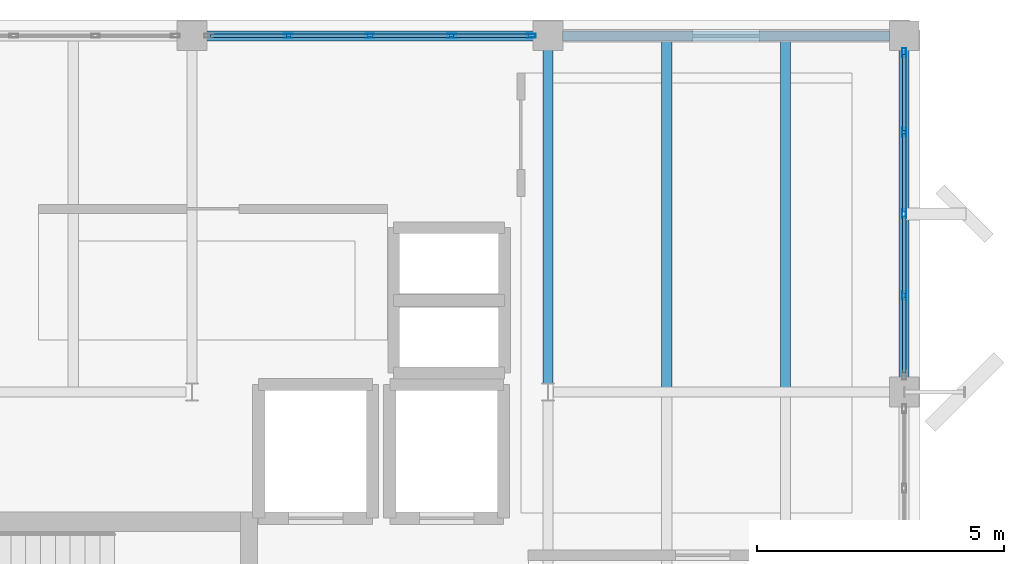
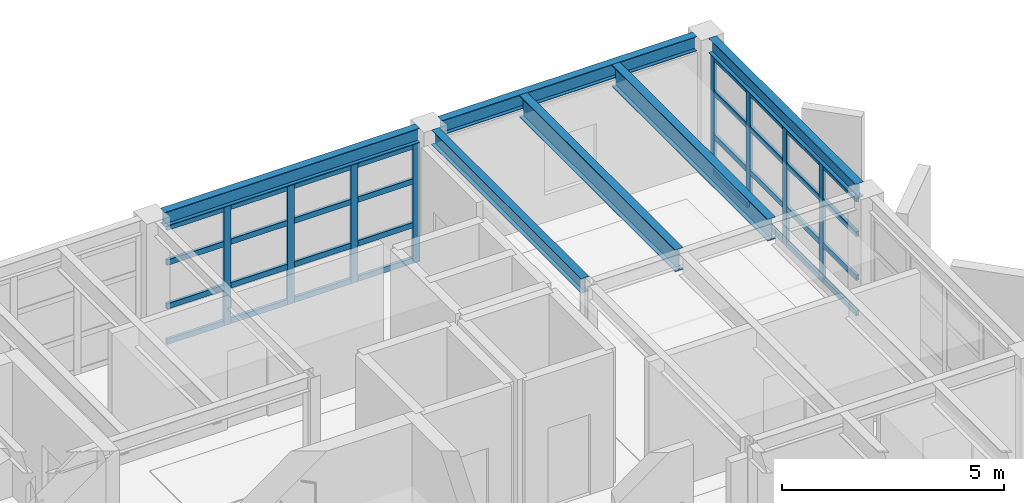
# One storey, part 8 of 15: 40 members, 6 beams, 2 elements without a shape of their own.
"""IFC4 building model written with IfcOpenShell, lengths in metres."""

from ifc_helpers import new_model, si_unit, direction, frame, origin, origin_2d, place, context, subcontext, project, spatial, hollow_rectangle, i_section, extrude, material, layer, layer_set, material_profile, profile_set, type_object, element, aggregate, save


model = new_model("IFC4")

# Units and contexts
model_context = context("Model", 3, precision=1e-05, world=origin(), true_north=direction((0.0, 1.0)))
body_context = subcontext(model_context, "Body", "Model", "MODEL_VIEW")
ifc_project = project(units=[si_unit("LENGTHUNIT", "METRE"), si_unit("AREAUNIT", "SQUARE_METRE"), si_unit("VOLUMEUNIT", "CUBIC_METRE"), si_unit("PLANEANGLEUNIT", "RADIAN"), si_unit("MASSUNIT", "GRAM", prefix="KILO")], contexts=[model_context])

# Site, building, storey
site_placement = place(None, origin())
site = spatial("IfcSite", under=ifc_project, at=site_placement, CompositionType="ELEMENT")
building_placement = place(site_placement, origin())
building = spatial("IfcBuilding", under=site, at=building_placement, Name="Kandorven Conservatory and Botanical Research Centre", CompositionType="ELEMENT")
storey_placement = place(building_placement, frame((0.0, 0.0, 52.199951171875)))
storey = spatial("IfcBuildingStorey", under=building, at=storey_placement, Name="L13", CompositionType="ELEMENT", Elevation=52.199951171875)

# Beams
ifc_material_1 = material(Name="Steel S355 (IS 2062 E350)", Category="steel")
ifc_material_profile_1 = material_profile(ifc_material_1, i_section(OverallWidth=0.199951171875, OverallDepth=0.39990234375, WebThickness=0.008544921875, FlangeThickness=0.012939453125, at=origin_2d()))
ifc_profile_set_1 = profile_set([ifc_material_profile_1], Name="Steel S355 (IS 2062 E350)")
beam_type_1 = type_object("IfcBeamType", Name="Beam_FG-03", PredefinedType="USERDEFINED", material=ifc_profile_set_1)
for number, where, z_axis, x_axis, name in (
    (1, (20.68994140625, 27.60009765625, 3.505126953125), (1.0, 0.0, 0.0), (0.0, 1.0, 0.0), "Primary girder FG-03 TWR L13"),
    (2, (27.889892578125, 27.60009765625, 3.505126953125), (1.0, 0.0, 0.0), (0.0, 1.0, 0.0), "Primary girder FG-03 TWR L13"),
):
    element("IfcBeam", number, at=place(storey_placement, frame(where, z_axis=z_axis, x_axis=x_axis)), inside=storey, type_object=beam_type_1, Name=name, ObjectType="GIRDER", PredefinedType="USERDEFINED", context=body_context, shape_type="SweptSolid", body=[
        extrude(i_section(OverallWidth=0.199951171875, OverallDepth=0.39990234375, WebThickness=0.008544921875, FlangeThickness=0.012939453125, at=origin_2d()), origin(), (0.0, 0.0, 1.0), 6.6201171875),
    ])
beam_1_placement = place(storey_placement, frame((27.60009765625, 20.56494140625, 3.505126953125), z_axis=(0.0, 1.0, 0.0), x_axis=(-1.0, 0.0, 0.0)))
element("IfcBeam", 3, at=beam_1_placement, inside=storey, type_object=beam_type_1, Name="Primary girder FG-03 TWR L13", ObjectType="GIRDER", PredefinedType="USERDEFINED", context=body_context, shape_type="SweptSolid", body=[
    extrude(i_section(OverallWidth=0.199951171875, OverallDepth=0.39990234375, WebThickness=0.008544921875, FlangeThickness=0.012939453125, at=origin_2d()), origin(), (0.0, 0.0, 1.0), 6.7451171875),
])
beam_2_placement = place(storey_placement, frame((34.800048828125, 20.68994140625, 3.505126953125), z_axis=(0.0, 1.0, 0.0), x_axis=(-1.0, 0.0, 0.0)))
element("IfcBeam", 4, at=beam_2_placement, inside=storey, type_object=beam_type_1, Name="Primary girder FG-03 TWR L13", ObjectType="GIRDER", PredefinedType="USERDEFINED", context=body_context, shape_type="SweptSolid", body=[
    extrude(i_section(OverallWidth=0.199951171875, OverallDepth=0.39990234375, WebThickness=0.008544921875, FlangeThickness=0.012939453125, at=origin_2d()), origin(), (0.0, 0.0, 1.0), 6.6201171875),
])
ifc_material_2 = material(Name="Steel S355 (IS 2062 E350)", Category="steel")
ifc_material_profile_2 = material_profile(ifc_material_2, i_section(OverallWidth=0.2099609375, OverallDepth=0.60009765625, WebThickness=0.011962890625, FlangeThickness=0.020751953125, at=origin_2d()))
ifc_profile_set_2 = profile_set([ifc_material_profile_2], Name="Steel S355 (IS 2062 E350)")
beam_type_2 = type_object("IfcBeamType", Name="Beam_SB-01", PredefinedType="BEAM", material=ifc_profile_set_2)
for number, where, z_axis, x_axis, name in (
    (5, (30.0, 20.485107421875, 3.405029296875), (0.0, 1.0, 0.0), (-1.0, 0.0, 0.0), "Composite secondary beam SB-01 TWR L13"),
    (6, (32.39990234375, 20.485107421875, 3.405029296875), (0.0, 1.0, 0.0), (-1.0, 0.0, 0.0), "Composite secondary beam SB-01 TWR L13"),
):
    element("IfcBeam", number, at=place(storey_placement, frame(where, z_axis=z_axis, x_axis=x_axis)), inside=storey, type_object=beam_type_2, Name=name, PredefinedType="BEAM", context=body_context, shape_type="SweptSolid", body=[
        extrude(i_section(OverallWidth=0.2099609375, OverallDepth=0.60009765625, WebThickness=0.011962890625, FlangeThickness=0.020751953125, at=origin_2d()), origin(), (0.0, 0.0, 1.0), 7.02978515625),
    ])

# Curtain wall, members
ifc_material_3 = material(Name="Bronze anodised thermally broken aluminium", Category="aluminium")
ifc_layer = layer(ifc_material_3, 0.179931640625)
ifc_layer_set = layer_set([ifc_layer], Name="Bronze anodised thermally broken aluminium")
curtain_wall_type = type_object("IfcCurtainWallType", Name="CW_Unitised", PredefinedType="USERDEFINED", material=ifc_layer_set)
curtain_wall_1_placement = place(storey_placement, origin())
curtain_wall_1 = element("IfcCurtainWall", 7, at=curtain_wall_1_placement, inside=storey, type_object=curtain_wall_type, Name="Tower laboratory curtain wall CW-TWR-N-L13-3", ObjectType="UNITISED GLAZING", PredefinedType="USERDEFINED")
ifc_material_4 = material(Name="Bronze anodised thermally broken aluminium", Category="aluminium")
ifc_material_profile_3 = material_profile(ifc_material_4, hollow_rectangle(XDim=0.080078125, YDim=0.179931640625, WallThickness=0.006103515625, at=origin_2d()))
ifc_profile_set_3 = profile_set([ifc_material_profile_3], Name="Bronze anodised thermally broken aluminium")
member_type_1 = type_object("IfcMemberType", Name="CW_Mullion", PredefinedType="MULLION", material=ifc_profile_set_3)
member_1_placement = place(storey_placement, frame((22.35009765625, 27.60009765625, 0.0), z_axis=(0.0, 0.0, 1.0), x_axis=(0.0, 1.0, 0.0)))
member_1 = element("IfcMember", 8, at=member_1_placement, type_object=member_type_1, Name="CW-01 mullion 2", PredefinedType="MULLION", context=body_context, shape_type="SweptSolid", body=[
    extrude(hollow_rectangle(XDim=0.080078125, YDim=0.179931640625, WallThickness=0.006103515625, at=origin_2d()), origin(), (0.0, 0.0, 1.0), 3.28515625),
])
member_2_placement = place(storey_placement, frame((24.0, 27.60009765625, 0.0), z_axis=(0.0, 0.0, 1.0), x_axis=(0.0, 1.0, 0.0)))
member_2 = element("IfcMember", 9, at=member_2_placement, type_object=member_type_1, Name="CW-01 mullion 3", PredefinedType="MULLION", context=body_context, shape_type="SweptSolid", body=[
    extrude(hollow_rectangle(XDim=0.080078125, YDim=0.179931640625, WallThickness=0.006103515625, at=origin_2d()), origin(), (0.0, 0.0, 1.0), 3.28515625),
])
member_3_placement = place(storey_placement, frame((25.64990234375, 27.60009765625, 0.0), z_axis=(0.0, 0.0, 1.0), x_axis=(0.0, 1.0, 0.0)))
member_3 = element("IfcMember", 10, at=member_3_placement, type_object=member_type_1, Name="CW-01 mullion 4", PredefinedType="MULLION", context=body_context, shape_type="SweptSolid", body=[
    extrude(hollow_rectangle(XDim=0.080078125, YDim=0.179931640625, WallThickness=0.006103515625, at=origin_2d()), origin(), (0.0, 0.0, 1.0), 3.28515625),
])
member_4_placement = place(storey_placement, frame((27.260009765625, 27.60009765625, 0.0), z_axis=(0.0, 0.0, 1.0), x_axis=(0.0, 1.0, 0.0)))
member_4 = element("IfcMember", 11, at=member_4_placement, type_object=member_type_1, Name="CW-01 mullion 5", PredefinedType="MULLION", context=body_context, shape_type="SweptSolid", body=[
    extrude(hollow_rectangle(XDim=0.080078125, YDim=0.179931640625, WallThickness=0.006103515625, at=origin_2d()), origin(), (0.0, 0.0, 1.0), 3.28515625),
])

curtain_wall_2_placement = place(storey_placement, origin())
curtain_wall_2 = element("IfcCurtainWall", 12, at=curtain_wall_2_placement, inside=storey, type_object=curtain_wall_type, Name="Tower laboratory curtain wall CW-TWR-E-L13-3", ObjectType="UNITISED GLAZING", PredefinedType="USERDEFINED")
member_5_placement = place(storey_placement, frame((34.800048828125, 22.35009765625, 0.0), z_axis=(0.0, 0.0, 1.0), x_axis=(-1.0, 0.0, 0.0)))
member_5 = element("IfcMember", 13, at=member_5_placement, type_object=member_type_1, Name="CW-01 mullion 2", PredefinedType="MULLION", context=body_context, shape_type="SweptSolid", body=[
    extrude(hollow_rectangle(XDim=0.080078125, YDim=0.179931640625, WallThickness=0.006103515625, at=origin_2d()), origin(), (0.0, 0.0, 1.0), 3.28515625),
])
member_6_placement = place(storey_placement, frame((34.800048828125, 24.0, 0.0), z_axis=(0.0, 0.0, 1.0), x_axis=(-1.0, 0.0, 0.0)))
member_6 = element("IfcMember", 14, at=member_6_placement, type_object=member_type_1, Name="CW-01 mullion 3", PredefinedType="MULLION", context=body_context, shape_type="SweptSolid", body=[
    extrude(hollow_rectangle(XDim=0.080078125, YDim=0.179931640625, WallThickness=0.006103515625, at=origin_2d()), origin(), (0.0, 0.0, 1.0), 3.28515625),
])
member_7_placement = place(storey_placement, frame((34.800048828125, 25.64990234375, 0.0), z_axis=(0.0, 0.0, 1.0), x_axis=(-1.0, 0.0, 0.0)))
member_7 = element("IfcMember", 15, at=member_7_placement, type_object=member_type_1, Name="CW-01 mullion 4", PredefinedType="MULLION", context=body_context, shape_type="SweptSolid", body=[
    extrude(hollow_rectangle(XDim=0.080078125, YDim=0.179931640625, WallThickness=0.006103515625, at=origin_2d()), origin(), (0.0, 0.0, 1.0), 3.28515625),
])
member_8_placement = place(storey_placement, frame((34.800048828125, 27.260009765625, 0.0), z_axis=(0.0, 0.0, 1.0), x_axis=(-1.0, 0.0, 0.0)))
member_8 = element("IfcMember", 16, at=member_8_placement, type_object=member_type_1, Name="CW-01 mullion 5", PredefinedType="MULLION", context=body_context, shape_type="SweptSolid", body=[
    extrude(hollow_rectangle(XDim=0.080078125, YDim=0.179931640625, WallThickness=0.006103515625, at=origin_2d()), origin(), (0.0, 0.0, 1.0), 3.28515625),
])

# Member
ifc_material_5 = material(Name="Bronze anodised thermally broken aluminium", Category="aluminium")
ifc_material_profile_4 = material_profile(ifc_material_5, hollow_rectangle(XDim=0.074951171875, YDim=0.14990234375, WallThickness=0.006103515625, at=origin_2d()))
ifc_profile_set_4 = profile_set([ifc_material_profile_4], Name="Bronze anodised thermally broken aluminium")
member_type_2 = type_object("IfcMemberType", Name="CW_Transom", PredefinedType="USERDEFINED", material=ifc_profile_set_4)
member_9_placement = place(storey_placement, frame((20.780029296875, 27.60009765625, 0.074951171875), z_axis=(1.0, 0.0, 0.0), x_axis=(0.0, 1.0, 0.0)))
member_9 = element("IfcMember", 17, at=member_9_placement, type_object=member_type_2, Name="CW-01 transom 1.1", ObjectType="TRANSOM", PredefinedType="USERDEFINED", context=body_context, shape_type="SweptSolid", body=[
    extrude(hollow_rectangle(XDim=0.074951171875, YDim=0.14990234375, WallThickness=0.006103515625, at=origin_2d()), origin(), (0.0, 0.0, 1.0), 1.530029296875),
])

member_10_placement = place(storey_placement, frame((20.780029296875, 27.60009765625, 1.050048828125), z_axis=(1.0, 0.0, 0.0), x_axis=(0.0, 1.0, 0.0)))
member_10 = element("IfcMember", 18, at=member_10_placement, type_object=member_type_2, Name="CW-01 transom 1.2", ObjectType="TRANSOM", PredefinedType="USERDEFINED", context=body_context, shape_type="SweptSolid", body=[
    extrude(hollow_rectangle(XDim=0.074951171875, YDim=0.14990234375, WallThickness=0.006103515625, at=origin_2d()), origin(), (0.0, 0.0, 1.0), 1.530029296875),
])

member_11_placement = place(storey_placement, frame((20.780029296875, 27.60009765625, 2.25), z_axis=(1.0, 0.0, 0.0), x_axis=(0.0, 1.0, 0.0)))
member_11 = element("IfcMember", 19, at=member_11_placement, type_object=member_type_2, Name="CW-01 transom 1.3", ObjectType="TRANSOM", PredefinedType="USERDEFINED", context=body_context, shape_type="SweptSolid", body=[
    extrude(hollow_rectangle(XDim=0.074951171875, YDim=0.14990234375, WallThickness=0.006103515625, at=origin_2d()), origin(), (0.0, 0.0, 1.0), 1.530029296875),
])

member_12_placement = place(storey_placement, frame((20.780029296875, 27.60009765625, 3.2099609375), z_axis=(1.0, 0.0, 0.0), x_axis=(0.0, 1.0, 0.0)))
member_12 = element("IfcMember", 20, at=member_12_placement, type_object=member_type_2, Name="CW-01 transom 1.4", ObjectType="TRANSOM", PredefinedType="USERDEFINED", context=body_context, shape_type="SweptSolid", body=[
    extrude(hollow_rectangle(XDim=0.074951171875, YDim=0.14990234375, WallThickness=0.006103515625, at=origin_2d()), origin(), (0.0, 0.0, 1.0), 1.530029296875),
])

member_13_placement = place(storey_placement, frame((22.389892578125, 27.60009765625, 0.074951171875), z_axis=(1.0, 0.0, 0.0), x_axis=(0.0, 1.0, 0.0)))
member_13 = element("IfcMember", 21, at=member_13_placement, type_object=member_type_2, Name="CW-01 transom 2.1", ObjectType="TRANSOM", PredefinedType="USERDEFINED", context=body_context, shape_type="SweptSolid", body=[
    extrude(hollow_rectangle(XDim=0.074951171875, YDim=0.14990234375, WallThickness=0.006103515625, at=origin_2d()), origin(), (0.0, 0.0, 1.0), 1.570068359375),
])

member_14_placement = place(storey_placement, frame((22.389892578125, 27.60009765625, 1.050048828125), z_axis=(1.0, 0.0, 0.0), x_axis=(0.0, 1.0, 0.0)))
member_14 = element("IfcMember", 22, at=member_14_placement, type_object=member_type_2, Name="CW-01 transom 2.2", ObjectType="TRANSOM", PredefinedType="USERDEFINED", context=body_context, shape_type="SweptSolid", body=[
    extrude(hollow_rectangle(XDim=0.074951171875, YDim=0.14990234375, WallThickness=0.006103515625, at=origin_2d()), origin(), (0.0, 0.0, 1.0), 1.570068359375),
])

member_15_placement = place(storey_placement, frame((22.389892578125, 27.60009765625, 2.25), z_axis=(1.0, 0.0, 0.0), x_axis=(0.0, 1.0, 0.0)))
member_15 = element("IfcMember", 23, at=member_15_placement, type_object=member_type_2, Name="CW-01 transom 2.3", ObjectType="TRANSOM", PredefinedType="USERDEFINED", context=body_context, shape_type="SweptSolid", body=[
    extrude(hollow_rectangle(XDim=0.074951171875, YDim=0.14990234375, WallThickness=0.006103515625, at=origin_2d()), origin(), (0.0, 0.0, 1.0), 1.570068359375),
])

member_16_placement = place(storey_placement, frame((22.389892578125, 27.60009765625, 3.2099609375), z_axis=(1.0, 0.0, 0.0), x_axis=(0.0, 1.0, 0.0)))
member_16 = element("IfcMember", 24, at=member_16_placement, type_object=member_type_2, Name="CW-01 transom 2.4", ObjectType="TRANSOM", PredefinedType="USERDEFINED", context=body_context, shape_type="SweptSolid", body=[
    extrude(hollow_rectangle(XDim=0.074951171875, YDim=0.14990234375, WallThickness=0.006103515625, at=origin_2d()), origin(), (0.0, 0.0, 1.0), 1.570068359375),
])

member_17_placement = place(storey_placement, frame((24.0400390625, 27.60009765625, 0.074951171875), z_axis=(1.0, 0.0, 0.0), x_axis=(0.0, 1.0, 0.0)))
member_17 = element("IfcMember", 25, at=member_17_placement, type_object=member_type_2, Name="CW-01 transom 3.1", ObjectType="TRANSOM", PredefinedType="USERDEFINED", context=body_context, shape_type="SweptSolid", body=[
    extrude(hollow_rectangle(XDim=0.074951171875, YDim=0.14990234375, WallThickness=0.006103515625, at=origin_2d()), origin(), (0.0, 0.0, 1.0), 1.570068359375),
])

member_18_placement = place(storey_placement, frame((24.0400390625, 27.60009765625, 1.050048828125), z_axis=(1.0, 0.0, 0.0), x_axis=(0.0, 1.0, 0.0)))
member_18 = element("IfcMember", 26, at=member_18_placement, type_object=member_type_2, Name="CW-01 transom 3.2", ObjectType="TRANSOM", PredefinedType="USERDEFINED", context=body_context, shape_type="SweptSolid", body=[
    extrude(hollow_rectangle(XDim=0.074951171875, YDim=0.14990234375, WallThickness=0.006103515625, at=origin_2d()), origin(), (0.0, 0.0, 1.0), 1.570068359375),
])

member_19_placement = place(storey_placement, frame((24.0400390625, 27.60009765625, 2.25), z_axis=(1.0, 0.0, 0.0), x_axis=(0.0, 1.0, 0.0)))
member_19 = element("IfcMember", 27, at=member_19_placement, type_object=member_type_2, Name="CW-01 transom 3.3", ObjectType="TRANSOM", PredefinedType="USERDEFINED", context=body_context, shape_type="SweptSolid", body=[
    extrude(hollow_rectangle(XDim=0.074951171875, YDim=0.14990234375, WallThickness=0.006103515625, at=origin_2d()), origin(), (0.0, 0.0, 1.0), 1.570068359375),
])

member_20_placement = place(storey_placement, frame((24.0400390625, 27.60009765625, 3.2099609375), z_axis=(1.0, 0.0, 0.0), x_axis=(0.0, 1.0, 0.0)))
member_20 = element("IfcMember", 28, at=member_20_placement, type_object=member_type_2, Name="CW-01 transom 3.4", ObjectType="TRANSOM", PredefinedType="USERDEFINED", context=body_context, shape_type="SweptSolid", body=[
    extrude(hollow_rectangle(XDim=0.074951171875, YDim=0.14990234375, WallThickness=0.006103515625, at=origin_2d()), origin(), (0.0, 0.0, 1.0), 1.570068359375),
])

member_21_placement = place(storey_placement, frame((25.68994140625, 27.60009765625, 0.074951171875), z_axis=(1.0, 0.0, 0.0), x_axis=(0.0, 1.0, 0.0)))
member_21 = element("IfcMember", 29, at=member_21_placement, type_object=member_type_2, Name="CW-01 transom 4.1", ObjectType="TRANSOM", PredefinedType="USERDEFINED", context=body_context, shape_type="SweptSolid", body=[
    extrude(hollow_rectangle(XDim=0.074951171875, YDim=0.14990234375, WallThickness=0.006103515625, at=origin_2d()), origin(), (0.0, 0.0, 1.0), 1.530029296875),
])

member_22_placement = place(storey_placement, frame((25.68994140625, 27.60009765625, 1.050048828125), z_axis=(1.0, 0.0, 0.0), x_axis=(0.0, 1.0, 0.0)))
member_22 = element("IfcMember", 30, at=member_22_placement, type_object=member_type_2, Name="CW-01 transom 4.2", ObjectType="TRANSOM", PredefinedType="USERDEFINED", context=body_context, shape_type="SweptSolid", body=[
    extrude(hollow_rectangle(XDim=0.074951171875, YDim=0.14990234375, WallThickness=0.006103515625, at=origin_2d()), origin(), (0.0, 0.0, 1.0), 1.530029296875),
])

member_23_placement = place(storey_placement, frame((25.68994140625, 27.60009765625, 2.25), z_axis=(1.0, 0.0, 0.0), x_axis=(0.0, 1.0, 0.0)))
member_23 = element("IfcMember", 31, at=member_23_placement, type_object=member_type_2, Name="CW-01 transom 4.3", ObjectType="TRANSOM", PredefinedType="USERDEFINED", context=body_context, shape_type="SweptSolid", body=[
    extrude(hollow_rectangle(XDim=0.074951171875, YDim=0.14990234375, WallThickness=0.006103515625, at=origin_2d()), origin(), (0.0, 0.0, 1.0), 1.530029296875),
])

member_24_placement = place(storey_placement, frame((25.68994140625, 27.60009765625, 3.2099609375), z_axis=(1.0, 0.0, 0.0), x_axis=(0.0, 1.0, 0.0)))
member_24 = element("IfcMember", 32, at=member_24_placement, type_object=member_type_2, Name="CW-01 transom 4.4", ObjectType="TRANSOM", PredefinedType="USERDEFINED", context=body_context, shape_type="SweptSolid", body=[
    extrude(hollow_rectangle(XDim=0.074951171875, YDim=0.14990234375, WallThickness=0.006103515625, at=origin_2d()), origin(), (0.0, 0.0, 1.0), 1.530029296875),
])

aggregate(curtain_wall_1, [member_1, member_2, member_3, member_4, member_9, member_10, member_11, member_12, member_13, member_14, member_15, member_16, member_17, member_18, member_19, member_20, member_21, member_22, member_23, member_24])

member_25_placement = place(storey_placement, frame((34.800048828125, 20.780029296875, 0.074951171875), z_axis=(0.0, 1.0, 0.0), x_axis=(-1.0, 0.0, 0.0)))
member_25 = element("IfcMember", 33, at=member_25_placement, type_object=member_type_2, Name="CW-01 transom 1.1", ObjectType="TRANSOM", PredefinedType="USERDEFINED", context=body_context, shape_type="SweptSolid", body=[
    extrude(hollow_rectangle(XDim=0.074951171875, YDim=0.14990234375, WallThickness=0.006103515625, at=origin_2d()), origin(), (0.0, 0.0, 1.0), 1.530029296875),
])

member_26_placement = place(storey_placement, frame((34.800048828125, 20.780029296875, 1.050048828125), z_axis=(0.0, 1.0, 0.0), x_axis=(-1.0, 0.0, 0.0)))
member_26 = element("IfcMember", 34, at=member_26_placement, type_object=member_type_2, Name="CW-01 transom 1.2", ObjectType="TRANSOM", PredefinedType="USERDEFINED", context=body_context, shape_type="SweptSolid", body=[
    extrude(hollow_rectangle(XDim=0.074951171875, YDim=0.14990234375, WallThickness=0.006103515625, at=origin_2d()), origin(), (0.0, 0.0, 1.0), 1.530029296875),
])

member_27_placement = place(storey_placement, frame((34.800048828125, 20.780029296875, 2.25), z_axis=(0.0, 1.0, 0.0), x_axis=(-1.0, 0.0, 0.0)))
member_27 = element("IfcMember", 35, at=member_27_placement, type_object=member_type_2, Name="CW-01 transom 1.3", ObjectType="TRANSOM", PredefinedType="USERDEFINED", context=body_context, shape_type="SweptSolid", body=[
    extrude(hollow_rectangle(XDim=0.074951171875, YDim=0.14990234375, WallThickness=0.006103515625, at=origin_2d()), origin(), (0.0, 0.0, 1.0), 1.530029296875),
])

member_28_placement = place(storey_placement, frame((34.800048828125, 20.780029296875, 3.2099609375), z_axis=(0.0, 1.0, 0.0), x_axis=(-1.0, 0.0, 0.0)))
member_28 = element("IfcMember", 36, at=member_28_placement, type_object=member_type_2, Name="CW-01 transom 1.4", ObjectType="TRANSOM", PredefinedType="USERDEFINED", context=body_context, shape_type="SweptSolid", body=[
    extrude(hollow_rectangle(XDim=0.074951171875, YDim=0.14990234375, WallThickness=0.006103515625, at=origin_2d()), origin(), (0.0, 0.0, 1.0), 1.530029296875),
])

member_29_placement = place(storey_placement, frame((34.800048828125, 22.389892578125, 0.074951171875), z_axis=(0.0, 1.0, 0.0), x_axis=(-1.0, 0.0, 0.0)))
member_29 = element("IfcMember", 37, at=member_29_placement, type_object=member_type_2, Name="CW-01 transom 2.1", ObjectType="TRANSOM", PredefinedType="USERDEFINED", context=body_context, shape_type="SweptSolid", body=[
    extrude(hollow_rectangle(XDim=0.074951171875, YDim=0.14990234375, WallThickness=0.006103515625, at=origin_2d()), origin(), (0.0, 0.0, 1.0), 1.570068359375),
])

member_30_placement = place(storey_placement, frame((34.800048828125, 22.389892578125, 1.050048828125), z_axis=(0.0, 1.0, 0.0), x_axis=(-1.0, 0.0, 0.0)))
member_30 = element("IfcMember", 38, at=member_30_placement, type_object=member_type_2, Name="CW-01 transom 2.2", ObjectType="TRANSOM", PredefinedType="USERDEFINED", context=body_context, shape_type="SweptSolid", body=[
    extrude(hollow_rectangle(XDim=0.074951171875, YDim=0.14990234375, WallThickness=0.006103515625, at=origin_2d()), origin(), (0.0, 0.0, 1.0), 1.570068359375),
])

member_31_placement = place(storey_placement, frame((34.800048828125, 22.389892578125, 2.25), z_axis=(0.0, 1.0, 0.0), x_axis=(-1.0, 0.0, 0.0)))
member_31 = element("IfcMember", 39, at=member_31_placement, type_object=member_type_2, Name="CW-01 transom 2.3", ObjectType="TRANSOM", PredefinedType="USERDEFINED", context=body_context, shape_type="SweptSolid", body=[
    extrude(hollow_rectangle(XDim=0.074951171875, YDim=0.14990234375, WallThickness=0.006103515625, at=origin_2d()), origin(), (0.0, 0.0, 1.0), 1.570068359375),
])

member_32_placement = place(storey_placement, frame((34.800048828125, 22.389892578125, 3.2099609375), z_axis=(0.0, 1.0, 0.0), x_axis=(-1.0, 0.0, 0.0)))
member_32 = element("IfcMember", 40, at=member_32_placement, type_object=member_type_2, Name="CW-01 transom 2.4", ObjectType="TRANSOM", PredefinedType="USERDEFINED", context=body_context, shape_type="SweptSolid", body=[
    extrude(hollow_rectangle(XDim=0.074951171875, YDim=0.14990234375, WallThickness=0.006103515625, at=origin_2d()), origin(), (0.0, 0.0, 1.0), 1.570068359375),
])

member_33_placement = place(storey_placement, frame((34.800048828125, 24.0400390625, 0.074951171875), z_axis=(0.0, 1.0, 0.0), x_axis=(-1.0, 0.0, 0.0)))
member_33 = element("IfcMember", 41, at=member_33_placement, type_object=member_type_2, Name="CW-01 transom 3.1", ObjectType="TRANSOM", PredefinedType="USERDEFINED", context=body_context, shape_type="SweptSolid", body=[
    extrude(hollow_rectangle(XDim=0.074951171875, YDim=0.14990234375, WallThickness=0.006103515625, at=origin_2d()), origin(), (0.0, 0.0, 1.0), 1.570068359375),
])

member_34_placement = place(storey_placement, frame((34.800048828125, 24.0400390625, 1.050048828125), z_axis=(0.0, 1.0, 0.0), x_axis=(-1.0, 0.0, 0.0)))
member_34 = element("IfcMember", 42, at=member_34_placement, type_object=member_type_2, Name="CW-01 transom 3.2", ObjectType="TRANSOM", PredefinedType="USERDEFINED", context=body_context, shape_type="SweptSolid", body=[
    extrude(hollow_rectangle(XDim=0.074951171875, YDim=0.14990234375, WallThickness=0.006103515625, at=origin_2d()), origin(), (0.0, 0.0, 1.0), 1.570068359375),
])

member_35_placement = place(storey_placement, frame((34.800048828125, 24.0400390625, 2.25), z_axis=(0.0, 1.0, 0.0), x_axis=(-1.0, 0.0, 0.0)))
member_35 = element("IfcMember", 43, at=member_35_placement, type_object=member_type_2, Name="CW-01 transom 3.3", ObjectType="TRANSOM", PredefinedType="USERDEFINED", context=body_context, shape_type="SweptSolid", body=[
    extrude(hollow_rectangle(XDim=0.074951171875, YDim=0.14990234375, WallThickness=0.006103515625, at=origin_2d()), origin(), (0.0, 0.0, 1.0), 1.570068359375),
])

member_36_placement = place(storey_placement, frame((34.800048828125, 24.0400390625, 3.2099609375), z_axis=(0.0, 1.0, 0.0), x_axis=(-1.0, 0.0, 0.0)))
member_36 = element("IfcMember", 44, at=member_36_placement, type_object=member_type_2, Name="CW-01 transom 3.4", ObjectType="TRANSOM", PredefinedType="USERDEFINED", context=body_context, shape_type="SweptSolid", body=[
    extrude(hollow_rectangle(XDim=0.074951171875, YDim=0.14990234375, WallThickness=0.006103515625, at=origin_2d()), origin(), (0.0, 0.0, 1.0), 1.570068359375),
])

member_37_placement = place(storey_placement, frame((34.800048828125, 25.68994140625, 0.074951171875), z_axis=(0.0, 1.0, 0.0), x_axis=(-1.0, 0.0, 0.0)))
member_37 = element("IfcMember", 45, at=member_37_placement, type_object=member_type_2, Name="CW-01 transom 4.1", ObjectType="TRANSOM", PredefinedType="USERDEFINED", context=body_context, shape_type="SweptSolid", body=[
    extrude(hollow_rectangle(XDim=0.074951171875, YDim=0.14990234375, WallThickness=0.006103515625, at=origin_2d()), origin(), (0.0, 0.0, 1.0), 1.530029296875),
])

member_38_placement = place(storey_placement, frame((34.800048828125, 25.68994140625, 1.050048828125), z_axis=(0.0, 1.0, 0.0), x_axis=(-1.0, 0.0, 0.0)))
member_38 = element("IfcMember", 46, at=member_38_placement, type_object=member_type_2, Name="CW-01 transom 4.2", ObjectType="TRANSOM", PredefinedType="USERDEFINED", context=body_context, shape_type="SweptSolid", body=[
    extrude(hollow_rectangle(XDim=0.074951171875, YDim=0.14990234375, WallThickness=0.006103515625, at=origin_2d()), origin(), (0.0, 0.0, 1.0), 1.530029296875),
])

member_39_placement = place(storey_placement, frame((34.800048828125, 25.68994140625, 2.25), z_axis=(0.0, 1.0, 0.0), x_axis=(-1.0, 0.0, 0.0)))
member_39 = element("IfcMember", 47, at=member_39_placement, type_object=member_type_2, Name="CW-01 transom 4.3", ObjectType="TRANSOM", PredefinedType="USERDEFINED", context=body_context, shape_type="SweptSolid", body=[
    extrude(hollow_rectangle(XDim=0.074951171875, YDim=0.14990234375, WallThickness=0.006103515625, at=origin_2d()), origin(), (0.0, 0.0, 1.0), 1.530029296875),
])

member_40_placement = place(storey_placement, frame((34.800048828125, 25.68994140625, 3.2099609375), z_axis=(0.0, 1.0, 0.0), x_axis=(-1.0, 0.0, 0.0)))
member_40 = element("IfcMember", 48, at=member_40_placement, type_object=member_type_2, Name="CW-01 transom 4.4", ObjectType="TRANSOM", PredefinedType="USERDEFINED", context=body_context, shape_type="SweptSolid", body=[
    extrude(hollow_rectangle(XDim=0.074951171875, YDim=0.14990234375, WallThickness=0.006103515625, at=origin_2d()), origin(), (0.0, 0.0, 1.0), 1.530029296875),
])

aggregate(curtain_wall_2, [member_5, member_6, member_7, member_8, member_25, member_26, member_27, member_28, member_29, member_30, member_31, member_32, member_33, member_34, member_35, member_36, member_37, member_38, member_39, member_40])

save(model, "model.ifc")
